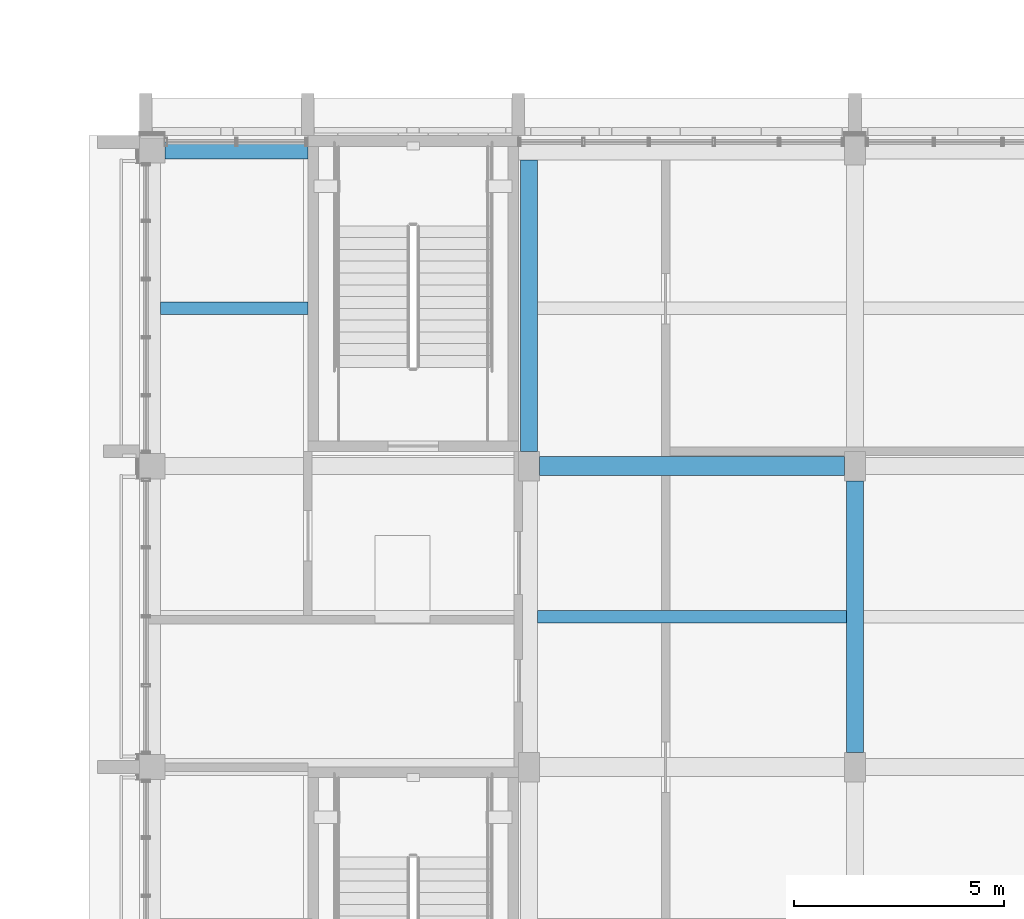
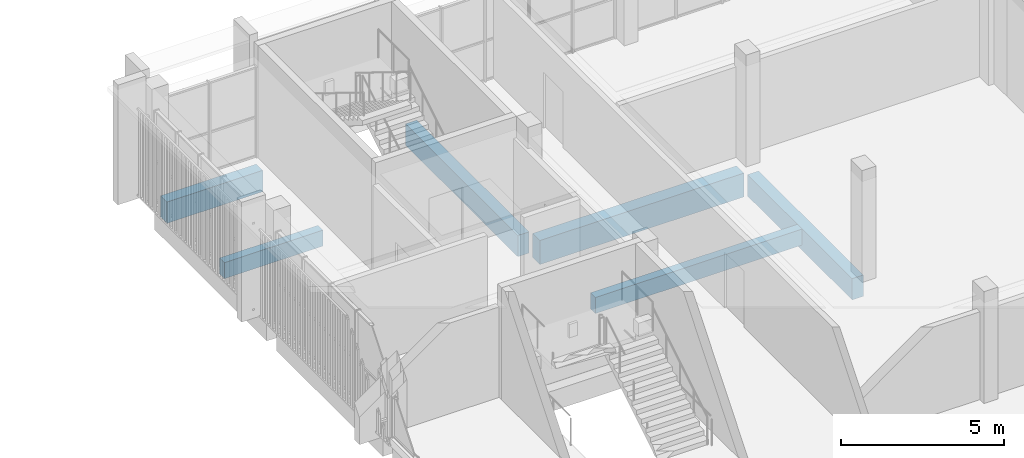
# One storey, part 35 of 92: 6 beams.
"""IFC4 building model written with IfcOpenShell, lengths in metres."""

import ifcopenshell
import ifcopenshell.guid

model = None  # the IFC model being written
_history = None  # IfcOwnerHistory: only IFC2X3 demands one
_inside = {}  # id of a spatial element -> (the spatial element, [elements in it])
_under = {}  # id of a project, library or spatial element -> (it, [spatial elements below it])
_declared = {}  # id of a project -> (the project, [libraries it declares])
_typed = {}  # id of a type object -> (the type object, [elements of that type])
_made_of = {}  # id of a material, layer set ... -> (it, [elements and type objects made of it])


def new_model(schema):
    """Start an empty IFC model of exactly this schema.

    Asked for "IFC4X3", IfcOpenShell would pick the latest addendum, in which some entities
    have other attributes; the version numbers below select the first issue.
    IFC2X3 requires an IfcOwnerHistory on every rooted entity: one is made here for all.
    """
    global model, _history
    if schema == "IFC4X3":
        model = ifcopenshell.file(schema_version=(4, 3, 0, 0))
    else:
        model = ifcopenshell.file(schema=schema)
    _inside.clear()
    _under.clear()
    _declared.clear()
    _typed.clear()
    _made_of.clear()
    _history = None
    if model.schema == "IFC2X3":
        org = make("IfcOrganization", Name="unknown")
        user = make(
            "IfcPersonAndOrganization",
            ThePerson=make("IfcPerson", FamilyName="unknown"),
            TheOrganization=org,
        )
        app = make(
            "IfcApplication",
            ApplicationDeveloper=org,
            Version="unknown",
            ApplicationFullName="unknown",
            ApplicationIdentifier="unknown",
        )
        _history = make(
            "IfcOwnerHistory",
            OwningUser=user,
            OwningApplication=app,
            ChangeAction="ADDED",
            CreationDate=0,
        )
    return model


def make(cls, **values):
    """One entity of the class cls with the attributes given. An attribute that is None is left unset."""
    return model.create_entity(
        cls, **{name: value for name, value in values.items() if value is not None}
    )


def rooted(cls, **values):
    """An entity with a GlobalId (a new one), such as an element, a storey or a relation."""
    return make(cls, GlobalId=ifcopenshell.guid.new(), OwnerHistory=_history, **values)


def si_unit(unit_type, name, prefix=None):
    """IfcSIUnit, for example si_unit("LENGTHUNIT", "METRE", prefix="MILLI")."""
    return make("IfcSIUnit", UnitType=unit_type, Prefix=prefix, Name=name)


def assignment(units):
    """IfcUnitAssignment: the units of a project."""
    return None if units is None else make("IfcUnitAssignment", Units=units)


def point(xyz):
    """IfcCartesianPoint."""
    return None if xyz is None else make("IfcCartesianPoint", Coordinates=xyz)


def direction(xyz):
    """IfcDirection."""
    return None if xyz is None else make("IfcDirection", DirectionRatios=xyz)


def frame(location, z_axis=None, x_axis=None):
    """IfcAxis2Placement3D, a coordinate frame: its origin and axes. An axis left out is left unset."""
    return make(
        "IfcAxis2Placement3D",
        Location=point(location),
        Axis=direction(z_axis),
        RefDirection=direction(x_axis),
    )


def frame_2d(location, x_axis=None):
    """IfcAxis2Placement2D, a coordinate frame in the plane: its origin and x axis."""
    return make(
        "IfcAxis2Placement2D", Location=point(location), RefDirection=direction(x_axis)
    )


def origin():
    """The frame at (0, 0, 0) with its axes left unset."""
    return frame((0.0, 0.0, 0.0))


def origin_2d():
    """The frame at (0, 0) in the plane with its x axis left unset."""
    return frame_2d((0.0, 0.0))


def place(relative_to, where):
    """IfcLocalPlacement: puts the frame where relative to a parent placement (None: the world)."""
    return make(
        "IfcLocalPlacement", PlacementRelTo=relative_to, RelativePlacement=where
    )


def context(
    kind, dimensions, precision=None, world=None, true_north=None, identifier=None
):
    """IfcGeometricRepresentationContext, for example the 3D "Model" context."""
    return make(
        "IfcGeometricRepresentationContext",
        ContextIdentifier=identifier,
        ContextType=kind,
        CoordinateSpaceDimension=dimensions,
        Precision=precision,
        WorldCoordinateSystem=world,
        TrueNorth=true_north,
    )


def subcontext(parent, identifier, kind, view, scale=None):
    """IfcGeometricRepresentationSubContext, for example "Body" below "Model"."""
    return make(
        "IfcGeometricRepresentationSubContext",
        ContextIdentifier=identifier,
        ContextType=kind,
        ParentContext=parent,
        TargetScale=scale,
        TargetView=view,
    )


def project(units=None, contexts=None):
    """IfcProject with its units and contexts."""
    return rooted(
        "IfcProject",
        Name="project",
        RepresentationContexts=contexts,
        UnitsInContext=assignment(units),
    )


def spatial(cls, under=None, at=None, **own):
    """A site, building, storey or space (cls), placed at a placement, below another one or the project."""
    s = rooted(cls, ObjectPlacement=at, **own)
    if under is not None:
        _under.setdefault(under.id(), (under, []))[1].append(s)
    return s


def profile(cls, at=None, kind="AREA", **sizes):
    """A parametric profile (cls). Its sizes go by their IFC names, for example OverallWidth=200.0."""
    return make(cls, ProfileType=kind, Position=at, **sizes)


def rectangle(**sizes):
    """IfcRectangleProfileDef."""
    return profile("IfcRectangleProfileDef", **sizes)


def extrude(swept, where, along, depth):
    """IfcExtrudedAreaSolid: the profile swept, set in the frame where, extruded along a direction by depth."""
    return make(
        "IfcExtrudedAreaSolid",
        SweptArea=swept,
        Position=where,
        ExtrudedDirection=direction(along),
        Depth=depth,
    )


def shape(context_of_items, identifier, shape_type, items):
    """IfcShapeRepresentation: the items that make up one representation, for example the "Body"."""
    return make(
        "IfcShapeRepresentation",
        ContextOfItems=context_of_items,
        RepresentationIdentifier=identifier,
        RepresentationType=shape_type,
        Items=items,
    )


def material(Name=None, Category=None):
    """IfcMaterial."""
    return make("IfcMaterial", Name=Name, Category=Category)


def material_profile(
    of_material, cross_section, Name=None, Category=None, Priority=None
):
    """IfcMaterialProfile: a cross section and its material."""
    return make(
        "IfcMaterialProfile",
        Name=Name,
        Material=of_material,
        Profile=cross_section,
        Priority=Priority,
        Category=Category,
    )


def profile_set(profiles, Name=None, composite=None):
    """IfcMaterialProfileSet."""
    return make(
        "IfcMaterialProfileSet",
        Name=Name,
        MaterialProfiles=profiles,
        CompositeProfile=composite,
    )


def made_of(thing, what):
    """Note that an element or type object is made of a material, layer set ...; save() writes the relation."""
    if what is not None:
        _made_of.setdefault(what.id(), (what, []))[1].append(thing)
    return thing


def type_object(cls, material=None, **own):
    """A type object (cls), such as IfcWallType, which elements share."""
    return made_of(rooted(cls, **own), material)


def element(
    cls,
    number,
    at=None,
    inside=None,
    cuts=None,
    type_object=None,
    material=None,
    context=None,
    identifier="Body",
    shape_type=None,
    held_by="IfcProductDefinitionShape",
    body=None,
    shapes=None,
    **own,
):
    """One element of the class cls, such as IfcWall. Its Tag is "e" and its number.

    at: its placement. inside: the storey or other place that contains it. cuts: it is an
    opening in that element (IfcRelVoidsElement). A single representation is given by context,
    identifier, shape_type and body (its items); several are given by shapes. held_by: the class
    of the entity that holds the representations. save() writes the other relations.
    """
    e = rooted(cls, Tag="e%d" % number, ObjectPlacement=at, **own)
    if body is not None:
        shapes = [shape(context, identifier, shape_type, body)]
    if shapes is not None:
        e.Representation = make(held_by, Representations=shapes)
    if inside is not None:
        _inside.setdefault(inside.id(), (inside, []))[1].append(e)
    if cuts is not None:
        rooted(
            "IfcRelVoidsElement", RelatingBuildingElement=cuts, RelatedOpeningElement=e
        )
    if type_object is not None:
        _typed.setdefault(type_object.id(), (type_object, []))[1].append(e)
    return made_of(e, material)


def aggregate(whole, parts):
    """IfcRelAggregates: a whole, such as a stair, and the parts it consists of."""
    return rooted("IfcRelAggregates", RelatingObject=whole, RelatedObjects=parts)


def save(model, path):
    """Write the relations noted so far, then the file.

    IfcRelAggregates (storeys below a building ...), IfcRelContainedInSpatialStructure (elements
    in a storey), IfcRelDefinesByType, IfcRelAssociatesMaterial and IfcRelDeclares: one each for
    every whole, place, type object, material and project.
    """
    for whole, parts in _under.values():
        aggregate(whole, parts)
    for where, things in _inside.values():
        rooted(
            "IfcRelContainedInSpatialStructure",
            RelatedElements=things,
            RelatingStructure=where,
        )
    for kind, things in _typed.values():
        rooted("IfcRelDefinesByType", RelatedObjects=things, RelatingType=kind)
    for what, things in _made_of.values():
        rooted("IfcRelAssociatesMaterial", RelatedObjects=things, RelatingMaterial=what)
    for by, libraries in _declared.values():
        rooted("IfcRelDeclares", RelatingContext=by, RelatedDefinitions=libraries)
    model.write(path)


model = new_model("IFC4")

# Units and contexts
model_context = context("Model", 3, precision=1e-05, world=origin(), true_north=direction((0.0, 1.0)))
body_context = subcontext(model_context, "Body", "Model", "MODEL_VIEW")
ifc_project = project(units=[si_unit("LENGTHUNIT", "METRE"), si_unit("AREAUNIT", "SQUARE_METRE"), si_unit("VOLUMEUNIT", "CUBIC_METRE"), si_unit("PLANEANGLEUNIT", "RADIAN"), si_unit("MASSUNIT", "GRAM", prefix="KILO")], contexts=[model_context])

# Site, building, storey
site_placement = place(None, origin())
site = spatial("IfcSite", under=ifc_project, at=site_placement, CompositionType="ELEMENT")
building_placement = place(site_placement, origin())
building = spatial("IfcBuilding", under=site, at=building_placement, Name="Sun Court Science Centre", CompositionType="ELEMENT")
storey_placement = place(building_placement, frame((0.0, 0.0, 11.25)))
storey = spatial("IfcBuildingStorey", under=building, at=storey_placement, Name="L02", CompositionType="ELEMENT", Elevation=11.25)

# Beams
ifc_material_1 = material(Name="Concrete C25/30", Category="concrete")
ifc_material_profile_1 = material_profile(ifc_material_1, rectangle(XDim=0.39990234375, YDim=0.800048828125, at=origin_2d()), Name="RC 400x800")
ifc_profile_set_1 = profile_set([ifc_material_profile_1], Name="Concrete C25/30")
beam_type_1 = type_object("IfcBeamType", Name="RC girder 400x800", PredefinedType="BEAM", material=ifc_profile_set_1)
beam_1_placement = place(storey_placement, frame((78.60009765625, 80.64990234375, -0.699951171875), z_axis=(1.0, 0.0, 0.0), x_axis=(0.0, 1.0, 0.0)))
element("IfcBeam", 1, at=beam_1_placement, inside=storey, type_object=beam_type_1, Name="Girder L02 row 11", PredefinedType="BEAM", context=body_context, shape_type="SweptSolid", body=[
    extrude(rectangle(XDim=0.39990234375, YDim=0.800048828125, at=origin_2d()), origin(), (0.0, 0.0, 1.0), 3.39990234375),
])
beam_2_placement = place(storey_placement, frame((87.25, 73.5, -0.699951171875), z_axis=(0.0, 1.0, 0.0), x_axis=(-1.0, 0.0, 0.0)))
element("IfcBeam", 2, at=beam_2_placement, inside=storey, type_object=beam_type_1, Name="Girder L02 line 2", PredefinedType="BEAM", context=body_context, shape_type="SweptSolid", body=[
    extrude(rectangle(XDim=0.39990234375, YDim=0.800048828125, at=origin_2d()), origin(), (0.0, 0.0, 1.0), 6.925048828125),
])
beam_3_placement = place(storey_placement, frame((95.0, 66.35009765625, -0.699951171875), z_axis=(0.0, 1.0, 0.0), x_axis=(-1.0, 0.0, 0.0)))
element("IfcBeam", 3, at=beam_3_placement, inside=storey, type_object=beam_type_1, Name="Girder L02 line 3", PredefinedType="BEAM", context=body_context, shape_type="SweptSolid", body=[
    extrude(rectangle(XDim=0.39990234375, YDim=0.800048828125, at=origin_2d()), origin(), (0.0, 0.0, 1.0), 6.449951171875),
])
ifc_material_2 = material(Name="Concrete C25/30", Category="concrete")
ifc_material_profile_2 = material_profile(ifc_material_2, rectangle(XDim=0.449951171875, YDim=0.89990234375, at=origin_2d()), Name="RC 450x900")
ifc_profile_set_2 = profile_set([ifc_material_profile_2], Name="Concrete C25/30")
beam_type_2 = type_object("IfcBeamType", Name="RC girder 450x900", PredefinedType="BEAM", material=ifc_profile_set_2)
beam_4_placement = place(storey_placement, frame((87.5, 73.14990234375, -0.75), z_axis=(1.0, 0.0, 0.0), x_axis=(0.0, 1.0, 0.0)))
element("IfcBeam", 4, at=beam_4_placement, inside=storey, type_object=beam_type_2, Name="Girder L02 row 10", PredefinedType="BEAM", context=body_context, shape_type="SweptSolid", body=[
    extrude(rectangle(XDim=0.449951171875, YDim=0.89990234375, at=origin_2d()), origin(), (0.0, 0.0, 1.0), 7.25),
])
ifc_material_3 = material(Name="Concrete C25/30", Category="concrete")
ifc_material_profile_3 = material_profile(ifc_material_3, rectangle(XDim=0.300048828125, YDim=0.60009765625, at=origin_2d()), Name="RC 300x600")
ifc_profile_set_3 = profile_set([ifc_material_profile_3], Name="Concrete C25/30")
beam_type_3 = type_object("IfcBeamType", Name="RC joist 300x600", PredefinedType="JOIST", material=ifc_profile_set_3)
beam_5_placement = place(storey_placement, frame((87.449951171875, 69.574951171875, -0.60009765625), z_axis=(1.0, 0.0, 0.0), x_axis=(0.0, 1.0, 0.0)))
element("IfcBeam", 5, at=beam_5_placement, inside=storey, type_object=beam_type_3, Name="Joist L02", PredefinedType="JOIST", context=body_context, shape_type="SweptSolid", body=[
    extrude(rectangle(XDim=0.300048828125, YDim=0.60009765625, at=origin_2d()), origin(), (0.0, 0.0, 1.0), 7.35009765625),
])
beam_6_placement = place(storey_placement, frame((78.5, 76.89990234375, -0.60009765625), z_axis=(1.0, 0.0, 0.0), x_axis=(0.0, 1.0, 0.0)))
element("IfcBeam", 6, at=beam_6_placement, inside=storey, type_object=beam_type_3, Name="Joist L02", PredefinedType="JOIST", context=body_context, shape_type="SweptSolid", body=[
    extrude(rectangle(XDim=0.300048828125, YDim=0.60009765625, at=origin_2d()), origin(), (0.0, 0.0, 1.0), 3.5),
])

save(model, "model.ifc")
